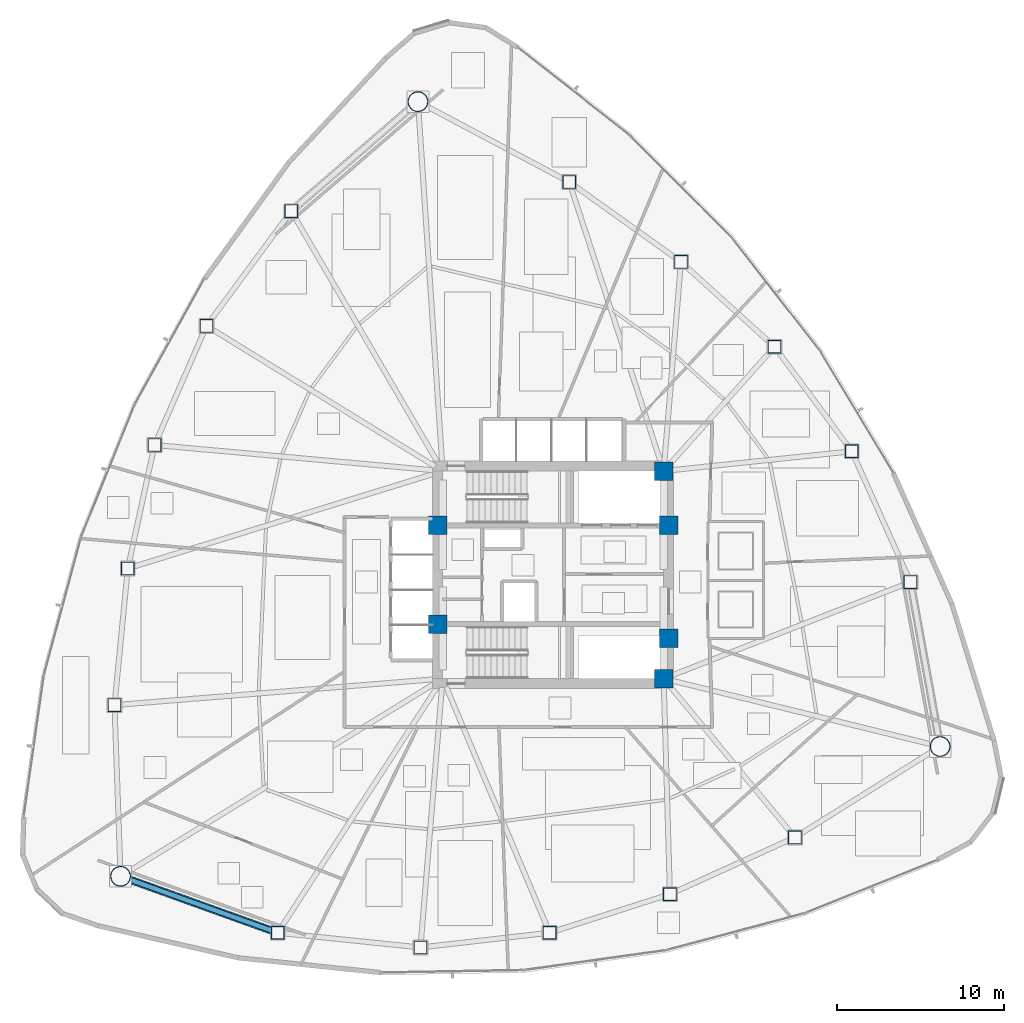
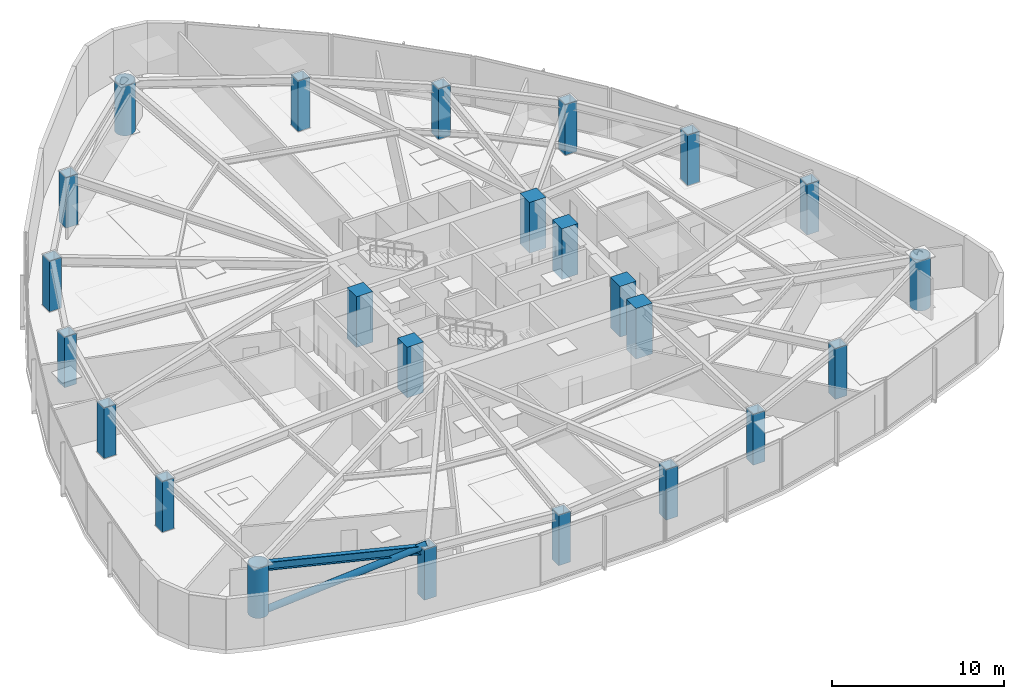
# One storey, part 1 of 17: 24 columns, 1 beam, 1 member.
"""IFC4 building model written with IfcOpenShell, lengths in metres."""

from ifc_helpers import new_model, si_unit, direction, frame, origin, origin_2d, place, context, subcontext, project, spatial, rectangle, hollow_rectangle, hollow_circle, i_section, extrude, material, material_profile, profile_set, type_object, element, save


model = new_model("IFC4")

# Units and contexts
model_context = context("Model", 3, precision=1e-05, world=origin(), true_north=direction((0.0, 1.0)))
body_context = subcontext(model_context, "Body", "Model", "MODEL_VIEW")
ifc_project = project(units=[si_unit("LENGTHUNIT", "METRE"), si_unit("AREAUNIT", "SQUARE_METRE"), si_unit("VOLUMEUNIT", "CUBIC_METRE"), si_unit("PLANEANGLEUNIT", "RADIAN"), si_unit("MASSUNIT", "GRAM", prefix="KILO")], contexts=[model_context])

# Site, building, storey
site_placement = place(None, origin())
site = spatial("IfcSite", under=ifc_project, at=site_placement, CompositionType="ELEMENT")
building_placement = place(site_placement, origin())
building = spatial("IfcBuilding", under=site, at=building_placement, Name="Tavelor Broadcast Tower", CompositionType="ELEMENT")
storey_placement = place(building_placement, frame((0.0, 0.0, 43.199951171875)))
storey = spatial("IfcBuildingStorey", under=building, at=storey_placement, Name="L09", CompositionType="ELEMENT", Elevation=43.199951171875)

# Columns
ifc_material_1 = material(Name="Concrete C60/75", Category="concrete")
ifc_material_profile_1 = material_profile(ifc_material_1, rectangle(XDim=1.10009765625, YDim=1.10009765625, at=origin_2d()), Name="RC 1100x1100")
ifc_profile_set_1 = profile_set([ifc_material_profile_1], Name="Concrete C60/75")
column_type_1 = type_object("IfcColumnType", Name="Core Embedded Composite Column RC1100", PredefinedType="COLUMN", material=ifc_profile_set_1)
for number, where, z_axis, x_axis, name in (
    (1, (43.10009765625, 47.949951171875, 0.0), (0.0, 0.0, 1.0), (1.0, 0.0, 0.0), "L09 Core Embedded Column 1"),
    (2, (56.89990234375, 47.949951171875, 0.0), (0.0, 0.0, 1.0), (1.0, 0.0, 0.0), "L09 Core Embedded Column 2"),
    (3, (56.60009765625, 51.199951171875, 0.0), (0.0, 0.0, 1.0), (1.0, 0.0, 0.0), "L09 Core Embedded Column 3"),
    (4, (43.10009765625, 42.050048828125, 0.0), (0.0, 0.0, 1.0), (1.0, 0.0, 0.0), "L09 Core Embedded Column 4"),
    (5, (56.89990234375, 41.199951171875, 0.0), (0.0, 0.0, 1.0), (1.0, 0.0, 0.0), "L09 Core Embedded Column 5"),
    (6, (56.60009765625, 38.800048828125, 0.0), (0.0, 0.0, 1.0), (1.0, 0.0, 0.0), "L09 Core Embedded Column 6"),
):
    element("IfcColumn", number, at=place(storey_placement, frame(where, z_axis=z_axis, x_axis=x_axis)), inside=storey, type_object=column_type_1, Name=name, PredefinedType="COLUMN", context=body_context, shape_type="SweptSolid", body=[
        extrude(rectangle(XDim=1.10009765625, YDim=1.10009765625, at=origin_2d()), origin(), (0.0, 0.0, 1.0), 3.60009765625),
    ])
ifc_material_2 = material(Name="Steel S460", Category="steel")
ifc_material_profile_2 = material_profile(ifc_material_2, hollow_rectangle(XDim=0.800048828125, YDim=0.800048828125, WallThickness=0.044921875, at=origin_2d()), Name="SHS 800x800x45")
ifc_profile_set_2 = profile_set([ifc_material_profile_2], Name="Steel S460")
column_type_2 = type_object("IfcColumnType", Name="Perimeter Tube Column T1 SHS 800x800x45", PredefinedType="COLUMN", material=ifc_profile_set_2)
for number, where, z_axis, x_axis, name in (
    (7, (34.356201171875, 66.727783203125, 0.0), (0.0, 0.0, 1.0), (1.0, 0.0, 0.0), "L09 Perimeter Framed-Tube Column 02"),
    (8, (29.292236328125, 59.87158203125, 0.0), (0.0, 0.0, 1.0), (1.0, 0.0, 0.0), "L09 Perimeter Framed-Tube Column 03"),
    (9, (26.189208984375, 52.75830078125, 0.0), (0.0, 0.0, 1.0), (1.0, 0.0, 0.0), "L09 Perimeter Framed-Tube Column 04"),
    (10, (24.58984375, 45.380615234375, 0.0), (0.0, 0.0, 1.0), (1.0, 0.0, 0.0), "L09 Perimeter Framed-Tube Column 05"),
    (11, (23.794677734375, 37.21630859375, 0.0), (0.0, 0.0, 1.0), (1.0, 0.0, 0.0), "L09 Perimeter Framed-Tube Column 06"),
    (12, (33.55078125, 23.615478515625, 0.0), (0.0, 0.0, 1.0), (1.0, 0.0, 0.0), "L09 Perimeter Framed-Tube Column 08"),
    (13, (42.0732421875, 22.740478515625, 0.0), (0.0, 0.0, 1.0), (1.0, 0.0, 0.0), "L09 Perimeter Framed-Tube Column 09"),
    (14, (49.78662109375, 23.617919921875, 0.0), (0.0, 0.0, 1.0), (1.0, 0.0, 0.0), "L09 Perimeter Framed-Tube Column 10"),
    (15, (56.975341796875, 25.92138671875, 0.0), (0.0, 0.0, 1.0), (1.0, 0.0, 0.0), "L09 Perimeter Framed-Tube Column 11"),
    (16, (64.443603515625, 29.31494140625, 0.0), (0.0, 0.0, 1.0), (1.0, 0.0, 0.0), "L09 Perimeter Framed-Tube Column 12"),
    (17, (71.343994140625, 44.564697265625, 0.0), (0.0, 0.0, 1.0), (1.0, 0.0, 0.0), "L09 Perimeter Framed-Tube Column 14"),
    (18, (67.8408203125, 52.382568359375, 0.0), (0.0, 0.0, 1.0), (1.0, 0.0, 0.0), "L09 Perimeter Framed-Tube Column 15"),
    (19, (63.22412109375, 58.623779296875, 0.0), (0.0, 0.0, 1.0), (1.0, 0.0, 0.0), "L09 Perimeter Framed-Tube Column 16"),
    (20, (57.634765625, 63.69775390625, 0.0), (0.0, 0.0, 1.0), (1.0, 0.0, 0.0), "L09 Perimeter Framed-Tube Column 17"),
    (21, (50.9619140625, 68.468505859375, 0.0), (0.0, 0.0, 1.0), (1.0, 0.0, 0.0), "L09 Perimeter Framed-Tube Column 18"),
):
    element("IfcColumn", number, at=place(storey_placement, frame(where, z_axis=z_axis, x_axis=x_axis)), inside=storey, type_object=column_type_2, Name=name, PredefinedType="COLUMN", context=body_context, shape_type="SweptSolid", body=[
        extrude(hollow_rectangle(XDim=0.800048828125, YDim=0.800048828125, WallThickness=0.044921875, at=origin_2d()), origin(), (0.0, 0.0, 1.0), 3.60009765625),
    ])
ifc_material_profile_3 = material_profile(ifc_material_2, hollow_circle(Radius=0.609619140625, WallThickness=0.050048828125, at=origin_2d()), Name="CHS 1219x50")
ifc_profile_set_3 = profile_set([ifc_material_profile_3], Name="Steel S460")
column_type_3 = type_object("IfcColumnType", Name="Tower Mega Column T1 CHS 1219x50", PredefinedType="COLUMN", material=ifc_profile_set_3)
for number, where, z_axis, x_axis, name in (
    (22, (41.923095703125, 73.266357421875, 0.0), (0.0, 0.0, 1.0), (1.0, 0.0, 0.0), "L09 Tower Corner Mega Column 01"),
    (23, (24.1591796875, 26.98974609375, 0.0), (0.0, 0.0, 1.0), (1.0, 0.0, 0.0), "L09 Tower Corner Mega Column 07"),
    (24, (73.117919921875, 34.743896484375, 0.0), (0.0, 0.0, 1.0), (1.0, 0.0, 0.0), "L09 Tower Corner Mega Column 13"),
):
    element("IfcColumn", number, at=place(storey_placement, frame(where, z_axis=z_axis, x_axis=x_axis)), inside=storey, type_object=column_type_3, Name=name, PredefinedType="COLUMN", context=body_context, shape_type="SweptSolid", body=[
        extrude(hollow_circle(Radius=0.609619140625, WallThickness=0.050048828125, at=origin_2d()), origin(), (0.0, 0.0, 1.0), 3.60009765625),
    ])

# Beam
ifc_material_3 = material(Name="Steel S355", Category="steel")
ifc_material_profile_4 = material_profile(ifc_material_3, i_section(OverallWidth=0.300048828125, OverallDepth=0.60009765625, WebThickness=0.015380859375, FlangeThickness=0.030029296875, at=origin_2d()), Name="HEB 600")
ifc_profile_set_4 = profile_set([ifc_material_profile_4], Name="Steel S355")
beam_type = type_object("IfcBeamType", Name="Perimeter Spandrel Beam T1 HEB 600", PredefinedType="SPANDREL", material=ifc_profile_set_4)
beam_placement = place(storey_placement, frame((24.709716796875, 26.7919921875, 3.300048828125), z_axis=(0.941102066303, -0.338122612081, 0.0), x_axis=(0.338122612081, 0.941102066303, 0.0)))
element("IfcBeam", 25, at=beam_placement, inside=storey, type_object=beam_type, Name="L09 Framed-Tube Ring Spandrel 07", PredefinedType="SPANDREL", context=body_context, shape_type="SweptSolid", body=[
    extrude(i_section(OverallWidth=0.300048828125, OverallDepth=0.60009765625, WebThickness=0.015380859375, FlangeThickness=0.030029296875, at=origin_2d()), origin(), (0.0, 0.0, 1.0), 9.010498046875),
])

# Member
ifc_material_profile_5 = material_profile(ifc_material_3, hollow_circle(Radius=0.228515625, WallThickness=0.02001953125, at=origin_2d()), Name="CHS 457x20")
ifc_profile_set_5 = profile_set([ifc_material_profile_5], Name="Steel S355")
member_type = type_object("IfcMemberType", Name="Perimeter Tube Brace T1 CHS 457x20", PredefinedType="BRACE", material=ifc_profile_set_5)
member_placement = place(storey_placement, frame((24.1591796875, 26.98974609375, 0.0), z_axis=(0.885257630536, -0.318060354363, 0.339347224183), x_axis=(0.338124247145, 0.941101478849, 0.0)))
element("IfcMember", 26, at=member_placement, inside=storey, type_object=member_type, Name="L09 Corner Tube Diagonal Brace 2", PredefinedType="BRACE", context=body_context, shape_type="SweptSolid", body=[
    extrude(hollow_circle(Radius=0.228515625, WallThickness=0.02001953125, at=origin_2d()), origin(), (0.0, 0.0, 1.0), 10.60888671875),
])

save(model, "model.ifc")
